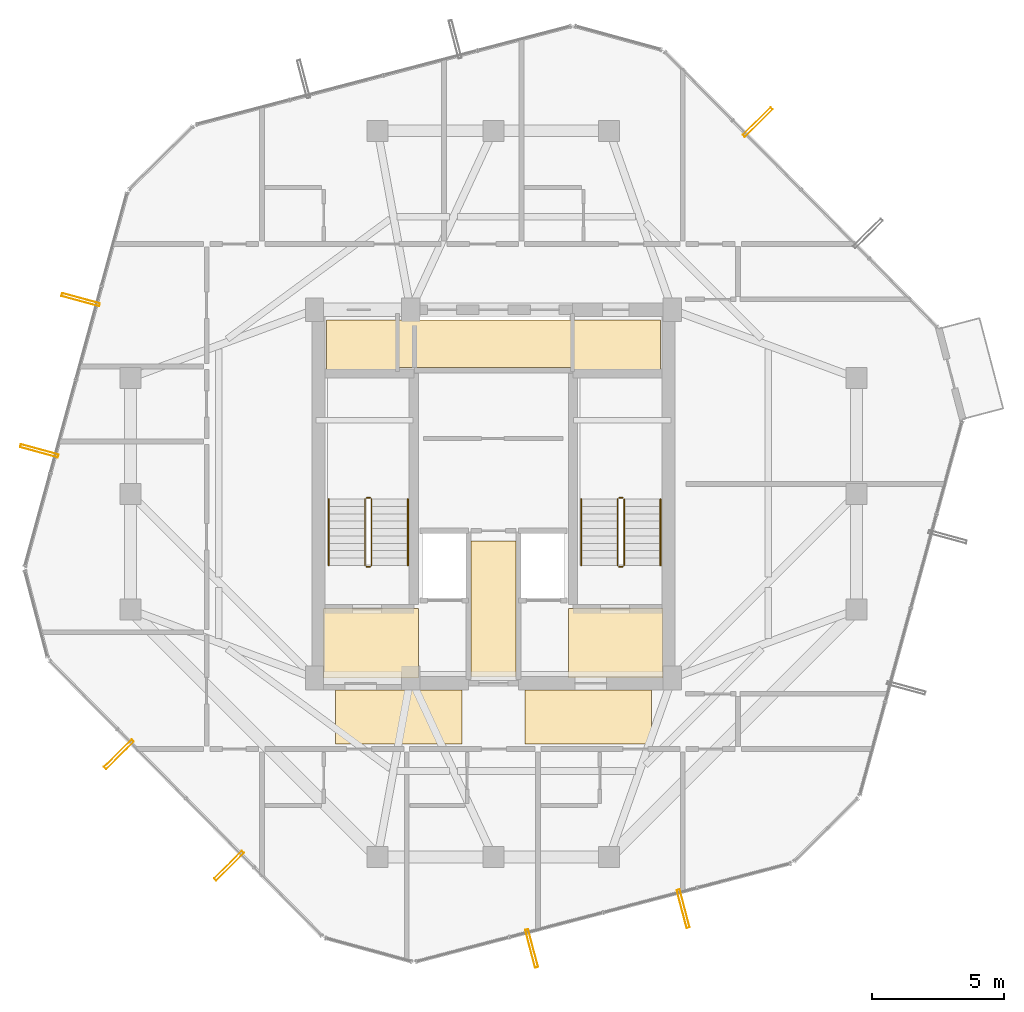
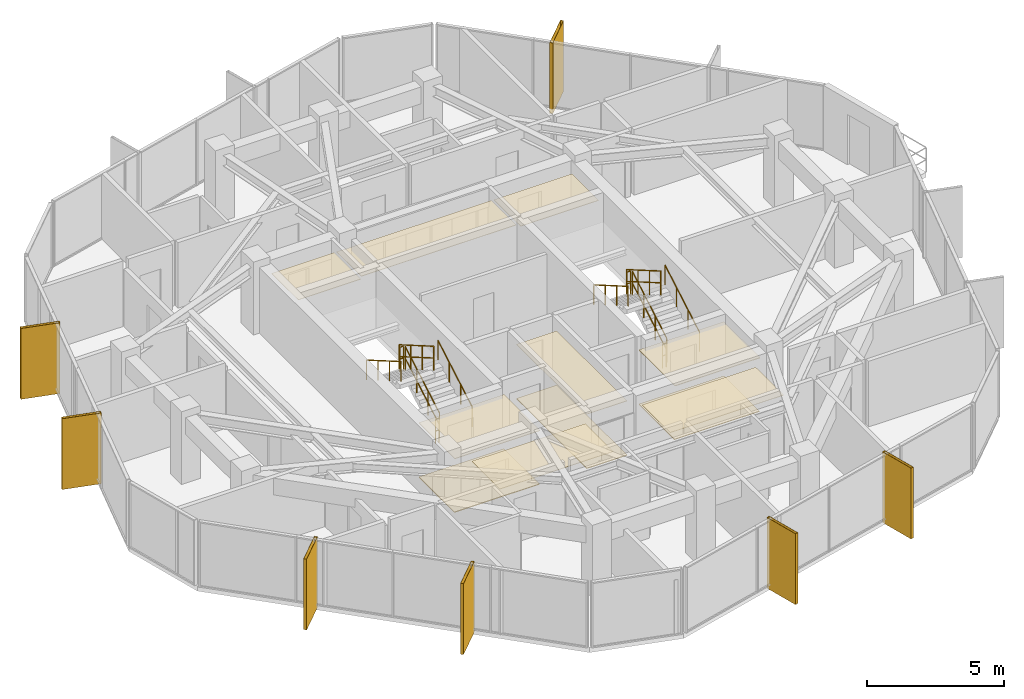
# One storey, part 28 of 29: 12 railings, 11 coverings, 7 shading devices.
"""IFC4 building model written with IfcOpenShell, lengths in metres."""

from ifc_helpers import new_model, si_unit, direction, frame, origin, origin_2d, place, context, subcontext, project, spatial, polyline, hollow_rectangle, circle, outline, extrude, material, layer, layer_set, material_profile, profile_set, type_object, element, save


model = new_model("IFC4")

# Units and contexts
model_context = context("Model", 3, precision=1e-05, world=origin(), true_north=direction((0.0, 1.0)))
body_context = subcontext(model_context, "Body", "Model", "MODEL_VIEW")
ifc_project = project(units=[si_unit("LENGTHUNIT", "METRE"), si_unit("AREAUNIT", "SQUARE_METRE"), si_unit("VOLUMEUNIT", "CUBIC_METRE"), si_unit("PLANEANGLEUNIT", "RADIAN"), si_unit("MASSUNIT", "GRAM", prefix="KILO")], contexts=[model_context])

# Site, building, storey
site_placement = place(None, origin())
site = spatial("IfcSite", under=ifc_project, at=site_placement, CompositionType="ELEMENT")
building_placement = place(site_placement, origin())
building = spatial("IfcBuilding", under=site, at=building_placement, Name="Veraguas Prism Commons", CompositionType="ELEMENT")
storey_placement = place(building_placement, frame((0.0, 0.0, 261.0)))
storey = spatial("IfcBuildingStorey", under=building, at=storey_placement, Name="L74", CompositionType="ELEMENT", Elevation=261.0)

# Shading devices
ifc_material_1 = material(Name="Anodised aluminium EN AW-6063 T6", Category="aluminium")
ifc_material_profile = material_profile(ifc_material_1, hollow_rectangle(XDim=0.1201171875, YDim=1.489990234375, WallThickness=0.006103515625, at=origin_2d()), Name="FIN120X1490X6")
ifc_profile_set = profile_set([ifc_material_profile], Name="Anodised aluminium EN AW-6063 T6")
shading_device_type = type_object("IfcShadingDeviceType", Name="Deep Pale-Metal Vertical Solar Fin 120x1490", PredefinedType="USERDEFINED", material=ifc_profile_set)
for number, where, z_axis, x_axis, name in (
    (1, (34.0458984375, 38.1298828125, -0.215087890625), (0.0, 0.0, 1.0), (-0.703395943389, 0.710798246217, 0.0), "Vertical Pale-Metal Solar Fin L74-F1B"),
    (2, (8.3115234375, 31.378662109375, -0.215087890625), (0.0, 0.0, 1.0), (-0.263878100373, -0.964556036809, 0.0), "Vertical Pale-Metal Solar Fin L74-F3A"),
    (3, (6.740234375, 25.635009765625, -0.215087890625), (0.0, 0.0, 1.0), (-0.263878100373, -0.964556036809, 0.0), "Vertical Pale-Metal Solar Fin L74-F3B"),
    (4, (9.765869140625, 14.1025390625, -0.215087890625), (0.0, 0.0, 1.0), (0.703395943389, -0.710798246217, 0.0), "Vertical Pale-Metal Solar Fin L74-F4A"),
    (5, (13.9541015625, 9.8701171875, -0.215087890625), (0.0, 0.0, 1.0), (0.703395943389, -0.710798246217, 0.0), "Vertical Pale-Metal Solar Fin L74-F4B"),
    (6, (25.4541015625, 6.72412109375, -0.215087890625), (0.0, 0.0, 1.0), (0.967266866988, 0.253761320985, 0.0), "Vertical Pale-Metal Solar Fin L74-F5A"),
    (7, (31.2138671875, 8.235107421875, -0.215087890625), (0.0, 0.0, 1.0), (0.967266866988, 0.253761320985, 0.0), "Vertical Pale-Metal Solar Fin L74-F5B"),
):
    element("IfcShadingDevice", number, at=place(storey_placement, frame(where, z_axis=z_axis, x_axis=x_axis)), inside=storey, type_object=shading_device_type, Name=name, ObjectType="FIN", PredefinedType="USERDEFINED", context=body_context, shape_type="SweptSolid", body=[
        extrude(hollow_rectangle(XDim=0.1201171875, YDim=1.489990234375, WallThickness=0.006103515625, at=origin_2d()), origin(), (0.0, 0.0, 1.0), 3.1650390625),
    ])

# Coverings
ifc_material_2 = material(Name="Acoustic gypsum board")
ifc_layer_1 = layer(ifc_material_2, 0.02490234375, Name="Perforated Acoustic Ceiling Tile 25")
ifc_layer_set_1 = layer_set([ifc_layer_1], Name="Acoustic gypsum board")
covering_type_1 = type_object("IfcCoveringType", Name="Perforated Acoustic Ceiling Tile 25", PredefinedType="USERDEFINED", material=ifc_layer_set_1)
covering_1_placement = place(storey_placement, frame((0.0, 0.0, 2.425048828125)))
element("IfcCovering", 8, at=covering_1_placement, inside=storey, type_object=covering_type_1, Name="East Lobby Acoustic Ceiling L74", ObjectType="ACOUSTIC CEILING", PredefinedType="USERDEFINED", context=body_context, shape_type="SweptSolid", body=[
    extrude(outline(polyline([(26.85009765625, 17.0), (30.449951171875, 17.0), (30.449951171875, 19.64990234375), (26.85009765625, 19.64990234375), (26.85009765625, 17.0)])), origin(), (0.0, 0.0, 1.0), 0.02490234375),
])
ifc_material_3 = material(Name="Terrazzo stone finish", Category="masonry")
ifc_layer_2 = layer(ifc_material_3, 0.030029296875, Name="Polished Terrazzo Floor Finish 30", Category="masonry")
ifc_layer_set_2 = layer_set([ifc_layer_2], Name="Terrazzo stone finish")
covering_type_2 = type_object("IfcCoveringType", Name="Polished Terrazzo Floor Finish 30", PredefinedType="FLOORING", material=ifc_layer_set_2)
covering_2_placement = place(storey_placement, origin())
element("IfcCovering", 9, at=covering_2_placement, inside=storey, type_object=covering_type_2, Name="Terrazzo Lobby Flooring L74", PredefinedType="FLOORING", context=body_context, shape_type="SweptSolid", body=[
    extrude(outline(polyline([(23.14990234375, 17.050048828125), (24.85009765625, 17.050048828125), (24.85009765625, 22.199951171875), (23.14990234375, 22.199951171875), (23.14990234375, 17.050048828125)])), origin(), (0.0, 0.0, 1.0), 0.030029296875),
])
covering_3_placement = place(storey_placement, origin())
element("IfcCovering", 10, at=covering_3_placement, inside=storey, type_object=covering_type_2, Name="West FF Lobby Terrazzo Flooring L74", PredefinedType="FLOORING", context=body_context, shape_type="SweptSolid", body=[
    extrude(outline(polyline([(17.550048828125, 17.050048828125), (21.14990234375, 17.050048828125), (21.14990234375, 19.64990234375), (17.550048828125, 19.64990234375), (17.550048828125, 17.050048828125)])), origin(), (0.0, 0.0, 1.0), 0.030029296875),
])
covering_4_placement = place(storey_placement, origin())
element("IfcCovering", 11, at=covering_4_placement, inside=storey, type_object=covering_type_2, Name="East FF Lobby Terrazzo Flooring L74", PredefinedType="FLOORING", context=body_context, shape_type="SweptSolid", body=[
    extrude(outline(polyline([(26.85009765625, 17.050048828125), (30.449951171875, 17.050048828125), (30.449951171875, 19.64990234375), (26.85009765625, 19.64990234375), (26.85009765625, 17.050048828125)])), origin(), (0.0, 0.0, 1.0), 0.030029296875),
])

# Railings
ifc_material_4 = material(Name="Stainless steel AISI 316", Category="steel")
railing_type_1 = type_object("IfcRailingType", Name="Stair and Ramp Stainless Handrail 900", PredefinedType="HANDRAIL", material=ifc_material_4)
railing_1_placement = place(storey_placement, frame((20.75, 21.280029296875, 0.16259765625)))
element("IfcRailing", 12, at=railing_1_placement, inside=storey, type_object=railing_type_1, Name="Stair Handrail ST-01 L74-1", PredefinedType="HANDRAIL", context=body_context, shape_type="SweptSolid", body=[
    extrude(circle(Radius=0.02392578125, at=origin_2d()), frame((0.0, 0.0, 0.8759765625), z_axis=(0.0, 0.864913338283, 0.50192122615), x_axis=(-1.0, 0.0, 0.0)), (0.0, 0.0, 1.0), 2.91357421875),
    extrude(circle(Radius=0.02099609375, at=origin_2d()), origin(), (0.0, 0.0, 1.0), 0.851806640625),
    extrude(circle(Radius=0.02099609375, at=origin_2d()), frame((0.0, 0.840087890625, 0.487548828125)), (0.0, 0.0, 1.0), 0.851806640625),
    extrude(circle(Radius=0.02099609375, at=origin_2d()), frame((0.0, 1.679931640625, 0.974853515625)), (0.0, 0.0, 1.0), 0.851806640625),
    extrude(circle(Radius=0.02099609375, at=origin_2d()), frame((0.0, 2.52001953125, 1.46240234375)), (0.0, 0.0, 1.0), 0.851806640625),
])
railing_2_placement = place(storey_placement, frame((17.739990234375, 23.800048828125, 1.78759765625)))
element("IfcRailing", 13, at=railing_2_placement, inside=storey, type_object=railing_type_1, Name="Stair Handrail ST-01 L74-2", PredefinedType="HANDRAIL", context=body_context, shape_type="SweptSolid", body=[
    extrude(circle(Radius=0.02392578125, at=origin_2d()), frame((0.0, 0.0, 0.8759765625), z_axis=(0.0, -0.864913338283, 0.50192122615), x_axis=(1.0, 0.0, 0.0)), (0.0, 0.0, 1.0), 2.91357421875),
    extrude(circle(Radius=0.02099609375, at=origin_2d()), origin(), (0.0, 0.0, 1.0), 0.851806640625),
    extrude(circle(Radius=0.02099609375, at=origin_2d()), frame((0.0, -0.840087890625, 0.487548828125)), (0.0, 0.0, 1.0), 0.851806640625),
    extrude(circle(Radius=0.02099609375, at=origin_2d()), frame((0.0, -1.679931640625, 0.974853515625)), (0.0, 0.0, 1.0), 0.851806640625),
    extrude(circle(Radius=0.02099609375, at=origin_2d()), frame((0.0, -2.52001953125, 1.46240234375)), (0.0, 0.0, 1.0), 0.851806640625),
])
railing_3_placement = place(storey_placement, frame((30.35009765625, 21.280029296875, 0.16259765625)))
element("IfcRailing", 14, at=railing_3_placement, inside=storey, type_object=railing_type_1, Name="Stair Handrail ST-02 L74-1", PredefinedType="HANDRAIL", context=body_context, shape_type="SweptSolid", body=[
    extrude(circle(Radius=0.02392578125, at=origin_2d()), frame((0.0, 0.0, 0.8759765625), z_axis=(0.0, 0.864913338283, 0.50192122615), x_axis=(-1.0, 0.0, 0.0)), (0.0, 0.0, 1.0), 2.91357421875),
    extrude(circle(Radius=0.02099609375, at=origin_2d()), origin(), (0.0, 0.0, 1.0), 0.851806640625),
    extrude(circle(Radius=0.02099609375, at=origin_2d()), frame((0.0, 0.840087890625, 0.487548828125)), (0.0, 0.0, 1.0), 0.851806640625),
    extrude(circle(Radius=0.02099609375, at=origin_2d()), frame((0.0, 1.679931640625, 0.974853515625)), (0.0, 0.0, 1.0), 0.851806640625),
    extrude(circle(Radius=0.02099609375, at=origin_2d()), frame((0.0, 2.52001953125, 1.46240234375)), (0.0, 0.0, 1.0), 0.851806640625),
])
railing_4_placement = place(storey_placement, frame((27.340087890625, 23.800048828125, 1.78759765625)))
element("IfcRailing", 15, at=railing_4_placement, inside=storey, type_object=railing_type_1, Name="Stair Handrail ST-02 L74-2", PredefinedType="HANDRAIL", context=body_context, shape_type="SweptSolid", body=[
    extrude(circle(Radius=0.02392578125, at=origin_2d()), frame((0.0, 0.0, 0.8759765625), z_axis=(0.0, -0.864913338283, 0.50192122615), x_axis=(1.0, 0.0, 0.0)), (0.0, 0.0, 1.0), 2.91357421875),
    extrude(circle(Radius=0.02099609375, at=origin_2d()), origin(), (0.0, 0.0, 1.0), 0.851806640625),
    extrude(circle(Radius=0.02099609375, at=origin_2d()), frame((0.0, -0.840087890625, 0.487548828125)), (0.0, 0.0, 1.0), 0.851806640625),
    extrude(circle(Radius=0.02099609375, at=origin_2d()), frame((0.0, -1.679931640625, 0.974853515625)), (0.0, 0.0, 1.0), 0.851806640625),
    extrude(circle(Radius=0.02099609375, at=origin_2d()), frame((0.0, -2.52001953125, 1.46240234375)), (0.0, 0.0, 1.0), 0.851806640625),
])
railing_type_2 = type_object("IfcRailingType", Name="Stairwell Safety Guardrail 1100", PredefinedType="GUARDRAIL", material=ifc_material_4)
railing_5_placement = place(storey_placement, frame((19.3701171875, 21.280029296875, 0.16259765625)))
element("IfcRailing", 16, at=railing_5_placement, inside=storey, type_object=railing_type_2, Name="Stair Guard ST-01 L74-1", PredefinedType="GUARDRAIL", context=body_context, shape_type="SweptSolid", body=[
    extrude(circle(Radius=0.02392578125, at=origin_2d()), frame((0.0, 0.0, 1.076171875), z_axis=(0.0, 0.864913338283, 0.50192122615), x_axis=(-1.0, 0.0, 0.0)), (0.0, 0.0, 1.0), 2.91357421875),
    extrude(circle(Radius=0.02392578125, at=origin_2d()), frame((0.0, 0.0, 0.550048828125), z_axis=(0.0, 0.864913338283, 0.50192122615), x_axis=(-1.0, 0.0, 0.0)), (0.0, 0.0, 1.0), 2.91357421875),
    extrude(circle(Radius=0.02099609375, at=origin_2d()), origin(), (0.0, 0.0, 1.0), 1.052001953125),
    extrude(circle(Radius=0.02099609375, at=origin_2d()), frame((0.0, 0.840087890625, 0.487548828125)), (0.0, 0.0, 1.0), 1.052001953125),
    extrude(circle(Radius=0.02099609375, at=origin_2d()), frame((0.0, 1.679931640625, 0.974853515625)), (0.0, 0.0, 1.0), 1.052001953125),
    extrude(circle(Radius=0.02099609375, at=origin_2d()), frame((0.0, 2.52001953125, 1.46240234375)), (0.0, 0.0, 1.0), 1.052001953125),
])
railing_6_placement = place(storey_placement, frame((19.320068359375, 23.85009765625, 1.625)))
element("IfcRailing", 17, at=railing_6_placement, inside=storey, type_object=railing_type_2, Name="Stair Guard ST-01 L74-2", PredefinedType="GUARDRAIL", context=body_context, shape_type="SweptSolid", body=[
    extrude(circle(Radius=0.02392578125, at=origin_2d()), frame((0.0, 0.0, 1.076171875), z_axis=(-1.0, 0.0, 0.0), x_axis=(0.0, -1.0, 0.0)), (0.0, 0.0, 1.0), 0.150146484375),
    extrude(circle(Radius=0.02392578125, at=origin_2d()), frame((0.0, 0.0, 0.550048828125), z_axis=(-1.0, 0.0, 0.0), x_axis=(0.0, -1.0, 0.0)), (0.0, 0.0, 1.0), 0.150146484375),
    extrude(circle(Radius=0.02099609375, at=origin_2d()), origin(), (0.0, 0.0, 1.0), 1.052001953125),
    extrude(circle(Radius=0.02099609375, at=origin_2d()), frame((-0.150146484375, 0.0, 0.0)), (0.0, 0.0, 1.0), 1.052001953125),
])
railing_7_placement = place(storey_placement, frame((19.1201171875, 23.800048828125, 1.78759765625)))
element("IfcRailing", 18, at=railing_7_placement, inside=storey, type_object=railing_type_2, Name="Stair Guard ST-01 L74-3", PredefinedType="GUARDRAIL", context=body_context, shape_type="SweptSolid", body=[
    extrude(circle(Radius=0.02392578125, at=origin_2d()), frame((0.0, 0.0, 1.076171875), z_axis=(0.0, -0.864913338283, 0.50192122615), x_axis=(1.0, 0.0, 0.0)), (0.0, 0.0, 1.0), 2.91357421875),
    extrude(circle(Radius=0.02392578125, at=origin_2d()), frame((0.0, 0.0, 0.550048828125), z_axis=(0.0, -0.864913338283, 0.50192122615), x_axis=(1.0, 0.0, 0.0)), (0.0, 0.0, 1.0), 2.91357421875),
    extrude(circle(Radius=0.02099609375, at=origin_2d()), origin(), (0.0, 0.0, 1.0), 1.052001953125),
    extrude(circle(Radius=0.02099609375, at=origin_2d()), frame((0.0, -0.840087890625, 0.487548828125)), (0.0, 0.0, 1.0), 1.052001953125),
    extrude(circle(Radius=0.02099609375, at=origin_2d()), frame((0.0, -1.679931640625, 0.974853515625)), (0.0, 0.0, 1.0), 1.052001953125),
    extrude(circle(Radius=0.02099609375, at=origin_2d()), frame((0.0, -2.52001953125, 1.46240234375)), (0.0, 0.0, 1.0), 1.052001953125),
])
railing_8_placement = place(storey_placement, frame((19.320068359375, 21.22998046875, 0.0)))
element("IfcRailing", 19, at=railing_8_placement, inside=storey, type_object=railing_type_2, Name="Stair Guard ST-01 L74-4", PredefinedType="GUARDRAIL", context=body_context, shape_type="SweptSolid", body=[
    extrude(circle(Radius=0.02392578125, at=origin_2d()), frame((0.0, 0.0, 1.076171875), z_axis=(-1.0, 0.0, 0.0), x_axis=(0.0, -1.0, 0.0)), (0.0, 0.0, 1.0), 0.150146484375),
    extrude(circle(Radius=0.02392578125, at=origin_2d()), frame((0.0, 0.0, 0.550048828125), z_axis=(-1.0, 0.0, 0.0), x_axis=(0.0, -1.0, 0.0)), (0.0, 0.0, 1.0), 0.150146484375),
    extrude(circle(Radius=0.02099609375, at=origin_2d()), origin(), (0.0, 0.0, 1.0), 1.052001953125),
    extrude(circle(Radius=0.02099609375, at=origin_2d()), frame((-0.150146484375, 0.0, 0.0)), (0.0, 0.0, 1.0), 1.052001953125),
])
railing_9_placement = place(storey_placement, frame((28.969970703125, 21.280029296875, 0.16259765625)))
element("IfcRailing", 20, at=railing_9_placement, inside=storey, type_object=railing_type_2, Name="Stair Guard ST-02 L74-1", PredefinedType="GUARDRAIL", context=body_context, shape_type="SweptSolid", body=[
    extrude(circle(Radius=0.02392578125, at=origin_2d()), frame((0.0, 0.0, 1.076171875), z_axis=(0.0, 0.864913338283, 0.50192122615), x_axis=(-1.0, 0.0, 0.0)), (0.0, 0.0, 1.0), 2.91357421875),
    extrude(circle(Radius=0.02392578125, at=origin_2d()), frame((0.0, 0.0, 0.550048828125), z_axis=(0.0, 0.864913338283, 0.50192122615), x_axis=(-1.0, 0.0, 0.0)), (0.0, 0.0, 1.0), 2.91357421875),
    extrude(circle(Radius=0.02099609375, at=origin_2d()), origin(), (0.0, 0.0, 1.0), 1.052001953125),
    extrude(circle(Radius=0.02099609375, at=origin_2d()), frame((0.0, 0.840087890625, 0.487548828125)), (0.0, 0.0, 1.0), 1.052001953125),
    extrude(circle(Radius=0.02099609375, at=origin_2d()), frame((0.0, 1.679931640625, 0.974853515625)), (0.0, 0.0, 1.0), 1.052001953125),
    extrude(circle(Radius=0.02099609375, at=origin_2d()), frame((0.0, 2.52001953125, 1.46240234375)), (0.0, 0.0, 1.0), 1.052001953125),
])
railing_10_placement = place(storey_placement, frame((28.919921875, 23.85009765625, 1.625)))
element("IfcRailing", 21, at=railing_10_placement, inside=storey, type_object=railing_type_2, Name="Stair Guard ST-02 L74-2", PredefinedType="GUARDRAIL", context=body_context, shape_type="SweptSolid", body=[
    extrude(circle(Radius=0.02392578125, at=origin_2d()), frame((0.0, 0.0, 1.076171875), z_axis=(-1.0, 0.0, 0.0), x_axis=(0.0, -1.0, 0.0)), (0.0, 0.0, 1.0), 0.14990234375),
    extrude(circle(Radius=0.02392578125, at=origin_2d()), frame((0.0, 0.0, 0.550048828125), z_axis=(-1.0, 0.0, 0.0), x_axis=(0.0, -1.0, 0.0)), (0.0, 0.0, 1.0), 0.14990234375),
    extrude(circle(Radius=0.02099609375, at=origin_2d()), origin(), (0.0, 0.0, 1.0), 1.052001953125),
    extrude(circle(Radius=0.02099609375, at=origin_2d()), frame((-0.14990234375, 0.0, 0.0)), (0.0, 0.0, 1.0), 1.052001953125),
])
railing_11_placement = place(storey_placement, frame((28.719970703125, 23.800048828125, 1.78759765625)))
element("IfcRailing", 22, at=railing_11_placement, inside=storey, type_object=railing_type_2, Name="Stair Guard ST-02 L74-3", PredefinedType="GUARDRAIL", context=body_context, shape_type="SweptSolid", body=[
    extrude(circle(Radius=0.02392578125, at=origin_2d()), frame((0.0, 0.0, 1.076171875), z_axis=(0.0, -0.864913338283, 0.50192122615), x_axis=(1.0, 0.0, 0.0)), (0.0, 0.0, 1.0), 2.91357421875),
    extrude(circle(Radius=0.02392578125, at=origin_2d()), frame((0.0, 0.0, 0.550048828125), z_axis=(0.0, -0.864913338283, 0.50192122615), x_axis=(1.0, 0.0, 0.0)), (0.0, 0.0, 1.0), 2.91357421875),
    extrude(circle(Radius=0.02099609375, at=origin_2d()), origin(), (0.0, 0.0, 1.0), 1.052001953125),
    extrude(circle(Radius=0.02099609375, at=origin_2d()), frame((0.0, -0.840087890625, 0.487548828125)), (0.0, 0.0, 1.0), 1.052001953125),
    extrude(circle(Radius=0.02099609375, at=origin_2d()), frame((0.0, -1.679931640625, 0.974853515625)), (0.0, 0.0, 1.0), 1.052001953125),
    extrude(circle(Radius=0.02099609375, at=origin_2d()), frame((0.0, -2.52001953125, 1.46240234375)), (0.0, 0.0, 1.0), 1.052001953125),
])
railing_12_placement = place(storey_placement, frame((28.919921875, 21.22998046875, 0.0)))
element("IfcRailing", 23, at=railing_12_placement, inside=storey, type_object=railing_type_2, Name="Stair Guard ST-02 L74-4", PredefinedType="GUARDRAIL", context=body_context, shape_type="SweptSolid", body=[
    extrude(circle(Radius=0.02392578125, at=origin_2d()), frame((0.0, 0.0, 1.076171875), z_axis=(-1.0, 0.0, 0.0), x_axis=(0.0, -1.0, 0.0)), (0.0, 0.0, 1.0), 0.14990234375),
    extrude(circle(Radius=0.02392578125, at=origin_2d()), frame((0.0, 0.0, 0.550048828125), z_axis=(-1.0, 0.0, 0.0), x_axis=(0.0, -1.0, 0.0)), (0.0, 0.0, 1.0), 0.14990234375),
    extrude(circle(Radius=0.02099609375, at=origin_2d()), origin(), (0.0, 0.0, 1.0), 1.052001953125),
    extrude(circle(Radius=0.02099609375, at=origin_2d()), frame((-0.14990234375, 0.0, 0.0)), (0.0, 0.0, 1.0), 1.052001953125),
])

# Coverings
ifc_layer_3 = layer(ifc_material_2, 0.02001953125, Name="Suspended Gypsum Ceiling 20")
ifc_layer_set_3 = layer_set([ifc_layer_3], Name="Acoustic gypsum board")
covering_type_3 = type_object("IfcCoveringType", Name="Suspended Gypsum Ceiling 20", PredefinedType="CEILING", material=ifc_layer_set_3)
covering_5_placement = place(storey_placement, frame((0.0, 0.0, 2.429931640625)))
element("IfcCovering", 24, at=covering_5_placement, inside=storey, type_object=covering_type_3, Name="West Lobby Suspended Gypsum Ceiling L74", PredefinedType="CEILING", context=body_context, shape_type="SweptSolid", body=[
    extrude(outline(polyline([(17.550048828125, 17.0), (21.14990234375, 17.0), (21.14990234375, 19.64990234375), (17.550048828125, 19.64990234375), (17.550048828125, 17.0)])), origin(), (0.0, 0.0, 1.0), 0.02001953125),
])
covering_6_placement = place(storey_placement, frame((0.0, 0.0, 2.429931640625)))
element("IfcCovering", 25, at=covering_6_placement, inside=storey, type_object=covering_type_3, Name="Core Lobby Acoustic Ceiling L74-1", PredefinedType="CEILING", context=body_context, shape_type="SweptSolid", body=[
    extrude(outline(polyline([(18.0, 14.5), (22.800048828125, 14.5), (22.800048828125, 16.550048828125), (18.0, 16.550048828125), (18.0, 14.5)])), origin(), (0.0, 0.0, 1.0), 0.02001953125),
])
covering_7_placement = place(storey_placement, frame((0.0, 0.0, 2.429931640625)))
element("IfcCovering", 26, at=covering_7_placement, inside=storey, type_object=covering_type_3, Name="Core Lobby Acoustic Ceiling L74-2", PredefinedType="CEILING", context=body_context, shape_type="SweptSolid", body=[
    extrude(outline(polyline([(25.199951171875, 14.5), (30.0, 14.5), (30.0, 16.550048828125), (25.199951171875, 16.550048828125), (25.199951171875, 14.5)])), origin(), (0.0, 0.0, 1.0), 0.02001953125),
])
covering_8_placement = place(storey_placement, frame((0.0, 0.0, 2.429931640625)))
element("IfcCovering", 27, at=covering_8_placement, inside=storey, type_object=covering_type_3, Name="Core Lobby Acoustic Ceiling L74-3", PredefinedType="CEILING", context=body_context, shape_type="SweptSolid", body=[
    extrude(outline(polyline([(23.14990234375, 17.050048828125), (24.85009765625, 17.050048828125), (24.85009765625, 22.199951171875), (23.14990234375, 22.199951171875), (23.14990234375, 17.050048828125)])), origin(), (0.0, 0.0, 1.0), 0.02001953125),
])
covering_9_placement = place(storey_placement, frame((0.0, 0.0, 2.429931640625)))
element("IfcCovering", 28, at=covering_9_placement, inside=storey, type_object=covering_type_3, Name="Core Lobby Acoustic Ceiling L74-4", PredefinedType="CEILING", context=body_context, shape_type="SweptSolid", body=[
    extrude(outline(polyline([(17.64990234375, 28.64990234375), (20.300048828125, 28.64990234375), (20.300048828125, 30.60009765625), (17.64990234375, 30.60009765625), (17.64990234375, 28.64990234375)])), origin(), (0.0, 0.0, 1.0), 0.02001953125),
])
covering_10_placement = place(storey_placement, frame((0.0, 0.0, 2.429931640625)))
element("IfcCovering", 29, at=covering_10_placement, inside=storey, type_object=covering_type_3, Name="Core Lobby Acoustic Ceiling L74-5", PredefinedType="CEILING", context=body_context, shape_type="SweptSolid", body=[
    extrude(outline(polyline([(27.050048828125, 28.64990234375), (30.35009765625, 28.64990234375), (30.35009765625, 30.60009765625), (27.050048828125, 30.60009765625), (27.050048828125, 28.64990234375)])), origin(), (0.0, 0.0, 1.0), 0.02001953125),
])
covering_11_placement = place(storey_placement, frame((0.0, 0.0, 2.429931640625)))
element("IfcCovering", 30, at=covering_11_placement, inside=storey, type_object=covering_type_3, Name="Core Lobby Acoustic Ceiling L74-6", PredefinedType="CEILING", context=body_context, shape_type="SweptSolid", body=[
    extrude(outline(polyline([(20.39990234375, 28.800048828125), (26.949951171875, 28.800048828125), (26.949951171875, 30.60009765625), (20.39990234375, 30.60009765625), (20.39990234375, 28.800048828125)])), origin(), (0.0, 0.0, 1.0), 0.02001953125),
])

save(model, "model.ifc")
